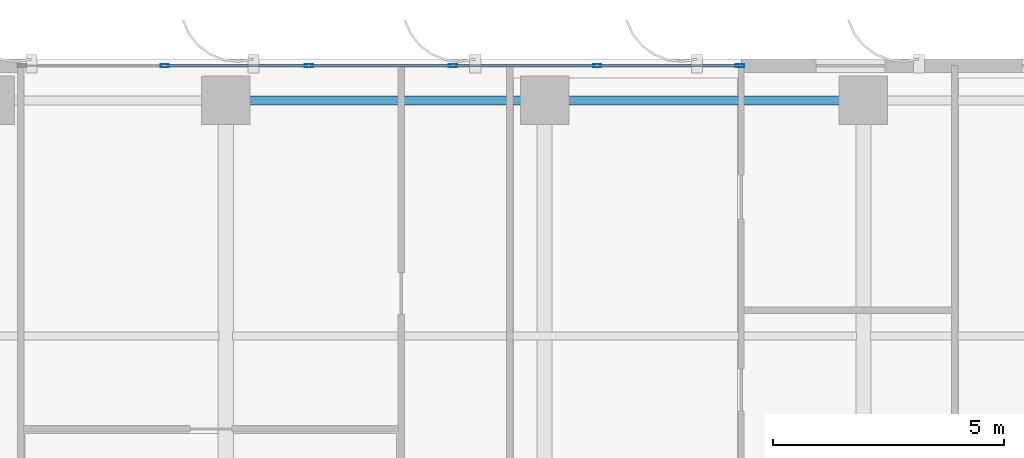
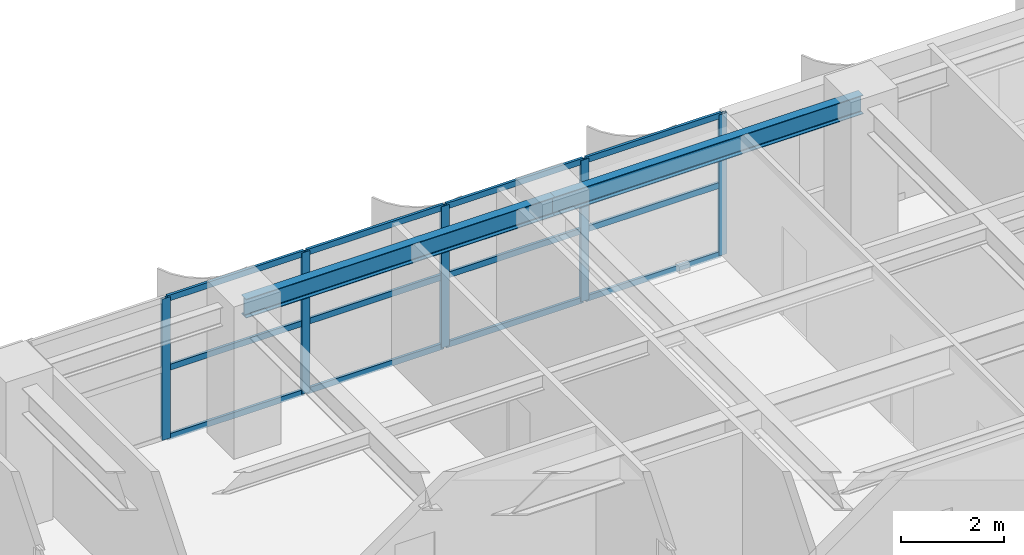
# One storey, part 11 of 22: 17 members, 2 beams, 1 element without a shape of its own.
"""IFC4 building model written with IfcOpenShell, lengths in metres."""

from ifc_helpers import new_model, si_unit, direction, frame, origin, origin_2d, place, context, subcontext, project, spatial, hollow_rectangle, i_section, extrude, source, transform, mapped, material, layer, layer_set, material_profile, profile_set, type_object, element, aggregate, save


model = new_model("IFC4")

# Units and contexts
model_context = context("Model", 3, precision=1e-05, world=origin(), true_north=direction((0.0, 1.0)))
body_context = subcontext(model_context, "Body", "Model", "MODEL_VIEW")
ifc_project = project(units=[si_unit("LENGTHUNIT", "METRE"), si_unit("AREAUNIT", "SQUARE_METRE"), si_unit("VOLUMEUNIT", "CUBIC_METRE"), si_unit("PLANEANGLEUNIT", "RADIAN"), si_unit("MASSUNIT", "GRAM", prefix="KILO")], contexts=[model_context])

# Site, building, storey
site_placement = place(None, origin())
site = spatial("IfcSite", under=ifc_project, at=site_placement, CompositionType="ELEMENT")
building_placement = place(site_placement, origin())
building = spatial("IfcBuilding", under=site, at=building_placement, Name="Khoralis Quay Care Tower", CompositionType="ELEMENT")
storey_placement = place(building_placement, frame((0.0, 0.0, 94.5)))
storey = spatial("IfcBuildingStorey", under=building, at=storey_placement, Name="L24", CompositionType="ELEMENT", Elevation=94.5)

# Beams
ifc_material_1 = material(Name="Steel S355", Category="steel")
ifc_material_profile_1 = material_profile(ifc_material_1, i_section(OverallWidth=0.18994140625, OverallDepth=0.449951171875, WebThickness=0.009521484375, FlangeThickness=0.0146484375, FilletRadius=0.02099609375, at=origin_2d()), Name="Steel S355")
ifc_profile_set_1 = profile_set([ifc_material_profile_1], Name="Steel S355")
beam_type = type_object("IfcBeamType", Name="BM-IPE450", PredefinedType="SPANDREL", material=ifc_profile_set_1)
shared_shape_1 = source(origin(), body_context, "Body", "SweptSolid", [
    extrude(i_section(OverallWidth=0.18994140625, OverallDepth=0.449951171875, WebThickness=0.009521484375, FlangeThickness=0.0146484375, FilletRadius=0.02099609375, at=origin_2d()), origin(), (0.0, 0.0, 1.0), 6.89990234375),
])
for number, where, z_axis, x_axis, name in (
    (1, (17.10009765625, 44.10009765625, 3.114990234375), (1.0, 0.0, 0.0), (0.0, 1.0, 0.0), "BM-TSP-L24-08"),
    (2, (24.0, 44.10009765625, 3.114990234375), (1.0, 0.0, 0.0), (0.0, 1.0, 0.0), "BM-TSP-L24-09"),
):
    element("IfcBeam", number, at=place(storey_placement, frame(where, z_axis=z_axis, x_axis=x_axis)), inside=storey, type_object=beam_type, Name=name, PredefinedType="SPANDREL", context=body_context, shape_type="MappedRepresentation", body=[
        mapped(shared_shape_1, transform((0.0, 0.0, 0.0), scale=1.0)),
    ])

# Curtain wall, members
ifc_material_2 = material(Name="Pale anodised aluminium", Category="aluminium")
ifc_layer = layer(ifc_material_2, 0.169921875)
ifc_layer_set = layer_set([ifc_layer], Name="Pale anodised aluminium")
curtain_wall_type = type_object("IfcCurtainWallType", Name="CW-SYS-Z2", PredefinedType="NOTDEFINED", material=ifc_layer_set)
curtain_wall_placement = place(storey_placement, origin())
curtain_wall = element("IfcCurtainWall", 3, at=curtain_wall_placement, inside=storey, type_object=curtain_wall_type, Name="L24 Unitised Curtain Wall CW-L24-P1-E10", PredefinedType="NOTDEFINED")
ifc_material_profile_2 = material_profile(ifc_material_2, hollow_rectangle(XDim=0.06494140625, YDim=0.179931640625, WallThickness=0.00390625, at=origin_2d()), Name="Pale anodised aluminium")
ifc_profile_set_2 = profile_set([ifc_material_profile_2], Name="Pale anodised aluminium")
member_type_1 = type_object("IfcMemberType", Name="CW-MUL-180", PredefinedType="MULLION", material=ifc_profile_set_2)
shared_shape_2 = source(origin(), body_context, "Body", "SweptSolid", [
    extrude(hollow_rectangle(XDim=0.06494140625, YDim=0.179931640625, WallThickness=0.00390625, at=origin_2d()), origin(), (0.0, 0.0, 1.0), 3.340087890625),
])
member_1_placement = place(storey_placement, frame((28.22802734375, 44.85009765625, 0.0), z_axis=(0.0, 0.0, 1.0), x_axis=(0.0, -1.0, 0.0)))
member_1 = element("IfcMember", 4, at=member_1_placement, type_object=member_type_1, Name="CW2 mullion 1", PredefinedType="MULLION", context=body_context, shape_type="MappedRepresentation", body=[
    mapped(shared_shape_2, transform((0.0, 0.0, 0.0), scale=1.0)),
])
member_2_placement = place(storey_placement, frame((25.138427734375, 44.85009765625, 0.0), z_axis=(0.0, 0.0, 1.0), x_axis=(0.0, -1.0, 0.0)))
member_2 = element("IfcMember", 5, at=member_2_placement, type_object=member_type_1, Name="CW2 mullion 2", PredefinedType="MULLION", context=body_context, shape_type="MappedRepresentation", body=[
    mapped(shared_shape_2, transform((0.0, 0.0, 0.0), scale=1.0)),
])
member_3_placement = place(storey_placement, frame((22.018798828125, 44.85009765625, 0.0), z_axis=(0.0, 0.0, 1.0), x_axis=(0.0, -1.0, 0.0)))
member_3 = element("IfcMember", 6, at=member_3_placement, type_object=member_type_1, Name="CW2 mullion 3", PredefinedType="MULLION", context=body_context, shape_type="MappedRepresentation", body=[
    mapped(shared_shape_2, transform((0.0, 0.0, 0.0), scale=1.0)),
])
member_4_placement = place(storey_placement, frame((18.899169921875, 44.85009765625, 0.0), z_axis=(0.0, 0.0, 1.0), x_axis=(0.0, -1.0, 0.0)))
member_4 = element("IfcMember", 7, at=member_4_placement, type_object=member_type_1, Name="CW2 mullion 4", PredefinedType="MULLION", context=body_context, shape_type="MappedRepresentation", body=[
    mapped(shared_shape_2, transform((0.0, 0.0, 0.0), scale=1.0)),
])
member_5_placement = place(storey_placement, frame((15.779541015625, 44.85009765625, 0.0), z_axis=(0.0, 0.0, 1.0), x_axis=(0.0, -1.0, 0.0)))
member_5 = element("IfcMember", 8, at=member_5_placement, type_object=member_type_1, Name="CW2 mullion 5", PredefinedType="MULLION", context=body_context, shape_type="MappedRepresentation", body=[
    mapped(shared_shape_2, transform((0.0, 0.0, 0.0), scale=1.0)),
])
ifc_material_profile_3 = material_profile(ifc_material_2, hollow_rectangle(XDim=0.06005859375, YDim=0.139892578125, WallThickness=0.00390625, at=origin_2d()), Name="Pale anodised aluminium")
ifc_profile_set_3 = profile_set([ifc_material_profile_3], Name="Pale anodised aluminium")
member_type_2 = type_object("IfcMemberType", Name="CW-TRN-140", PredefinedType="USERDEFINED", material=ifc_profile_set_3)
shared_shape_3 = source(origin(), body_context, "Body", "SweptSolid", [
    extrude(hollow_rectangle(XDim=0.06005859375, YDim=0.139892578125, WallThickness=0.00390625, at=origin_2d()), origin(), (0.0, 0.0, 1.0), 3.029541015625),
])
member_6_placement = place(storey_placement, frame((28.197998046875, 44.85009765625, 0.030029296875), z_axis=(-1.0, 0.0, 0.0), x_axis=(0.0, -1.0, 0.0)))
member_6 = element("IfcMember", 9, at=member_6_placement, type_object=member_type_2, Name="CW2 transom 1.1", ObjectType="TRANSOM", PredefinedType="USERDEFINED", context=body_context, shape_type="MappedRepresentation", body=[
    mapped(shared_shape_3, transform((0.0, 0.0, 0.0), scale=1.0)),
])
member_7_placement = place(storey_placement, frame((28.197998046875, 44.85009765625, 1.669921875), z_axis=(-1.0, 0.0, 0.0), x_axis=(0.0, -1.0, 0.0)))
member_7 = element("IfcMember", 10, at=member_7_placement, type_object=member_type_2, Name="CW2 transom 1.2", ObjectType="TRANSOM", PredefinedType="USERDEFINED", context=body_context, shape_type="MappedRepresentation", body=[
    mapped(shared_shape_3, transform((0.0, 0.0, 0.0), scale=1.0)),
])
member_8_placement = place(storey_placement, frame((28.197998046875, 44.85009765625, 3.31005859375), z_axis=(-1.0, 0.0, 0.0), x_axis=(0.0, -1.0, 0.0)))
member_8 = element("IfcMember", 11, at=member_8_placement, type_object=member_type_2, Name="CW2 transom 1.3", ObjectType="TRANSOM", PredefinedType="USERDEFINED", context=body_context, shape_type="MappedRepresentation", body=[
    mapped(shared_shape_3, transform((0.0, 0.0, 0.0), scale=1.0)),
])
shared_shape_4 = source(origin(), body_context, "Body", "SweptSolid", [
    extrude(hollow_rectangle(XDim=0.06005859375, YDim=0.139892578125, WallThickness=0.00390625, at=origin_2d()), origin(), (0.0, 0.0, 1.0), 3.0595703125),
])
member_9_placement = place(storey_placement, frame((25.1083984375, 44.85009765625, 0.030029296875), z_axis=(-1.0, 0.0, 0.0), x_axis=(0.0, -1.0, 0.0)))
member_9 = element("IfcMember", 12, at=member_9_placement, type_object=member_type_2, Name="CW2 transom 2.1", ObjectType="TRANSOM", PredefinedType="USERDEFINED", context=body_context, shape_type="MappedRepresentation", body=[
    mapped(shared_shape_4, transform((0.0, 0.0, 0.0), scale=1.0)),
])
member_10_placement = place(storey_placement, frame((25.1083984375, 44.85009765625, 1.669921875), z_axis=(-1.0, 0.0, 0.0), x_axis=(0.0, -1.0, 0.0)))
member_10 = element("IfcMember", 13, at=member_10_placement, type_object=member_type_2, Name="CW2 transom 2.2", ObjectType="TRANSOM", PredefinedType="USERDEFINED", context=body_context, shape_type="MappedRepresentation", body=[
    mapped(shared_shape_4, transform((0.0, 0.0, 0.0), scale=1.0)),
])
member_11_placement = place(storey_placement, frame((25.1083984375, 44.85009765625, 3.31005859375), z_axis=(-1.0, 0.0, 0.0), x_axis=(0.0, -1.0, 0.0)))
member_11 = element("IfcMember", 14, at=member_11_placement, type_object=member_type_2, Name="CW2 transom 2.3", ObjectType="TRANSOM", PredefinedType="USERDEFINED", context=body_context, shape_type="MappedRepresentation", body=[
    mapped(shared_shape_4, transform((0.0, 0.0, 0.0), scale=1.0)),
])
member_12_placement = place(storey_placement, frame((21.98876953125, 44.85009765625, 0.030029296875), z_axis=(-1.0, 0.0, 0.0), x_axis=(0.0, -1.0, 0.0)))
member_12 = element("IfcMember", 15, at=member_12_placement, type_object=member_type_2, Name="CW2 transom 3.1", ObjectType="TRANSOM", PredefinedType="USERDEFINED", context=body_context, shape_type="MappedRepresentation", body=[
    mapped(shared_shape_4, transform((0.0, 0.0, 0.0), scale=1.0)),
])
member_13_placement = place(storey_placement, frame((21.98876953125, 44.85009765625, 1.669921875), z_axis=(-1.0, 0.0, 0.0), x_axis=(0.0, -1.0, 0.0)))
member_13 = element("IfcMember", 16, at=member_13_placement, type_object=member_type_2, Name="CW2 transom 3.2", ObjectType="TRANSOM", PredefinedType="USERDEFINED", context=body_context, shape_type="MappedRepresentation", body=[
    mapped(shared_shape_4, transform((0.0, 0.0, 0.0), scale=1.0)),
])
member_14_placement = place(storey_placement, frame((21.98876953125, 44.85009765625, 3.31005859375), z_axis=(-1.0, 0.0, 0.0), x_axis=(0.0, -1.0, 0.0)))
member_14 = element("IfcMember", 17, at=member_14_placement, type_object=member_type_2, Name="CW2 transom 3.3", ObjectType="TRANSOM", PredefinedType="USERDEFINED", context=body_context, shape_type="MappedRepresentation", body=[
    mapped(shared_shape_4, transform((0.0, 0.0, 0.0), scale=1.0)),
])
member_15_placement = place(storey_placement, frame((18.869140625, 44.85009765625, 0.030029296875), z_axis=(-1.0, 0.0, 0.0), x_axis=(0.0, -1.0, 0.0)))
member_15 = element("IfcMember", 18, at=member_15_placement, type_object=member_type_2, Name="CW2 transom 4.1", ObjectType="TRANSOM", PredefinedType="USERDEFINED", context=body_context, shape_type="MappedRepresentation", body=[
    mapped(shared_shape_4, transform((0.0, 0.0, 0.0), scale=1.0)),
])
member_16_placement = place(storey_placement, frame((18.869140625, 44.85009765625, 1.669921875), z_axis=(-1.0, 0.0, 0.0), x_axis=(0.0, -1.0, 0.0)))
member_16 = element("IfcMember", 19, at=member_16_placement, type_object=member_type_2, Name="CW2 transom 4.2", ObjectType="TRANSOM", PredefinedType="USERDEFINED", context=body_context, shape_type="MappedRepresentation", body=[
    mapped(shared_shape_4, transform((0.0, 0.0, 0.0), scale=1.0)),
])
member_17_placement = place(storey_placement, frame((18.869140625, 44.85009765625, 3.31005859375), z_axis=(-1.0, 0.0, 0.0), x_axis=(0.0, -1.0, 0.0)))
member_17 = element("IfcMember", 20, at=member_17_placement, type_object=member_type_2, Name="CW2 transom 4.3", ObjectType="TRANSOM", PredefinedType="USERDEFINED", context=body_context, shape_type="MappedRepresentation", body=[
    mapped(shared_shape_4, transform((0.0, 0.0, 0.0), scale=1.0)),
])
aggregate(curtain_wall, [member_1, member_2, member_3, member_4, member_5, member_6, member_7, member_8, member_9, member_10, member_11, member_12, member_13, member_14, member_15, member_16, member_17])

save(model, "model.ifc")
